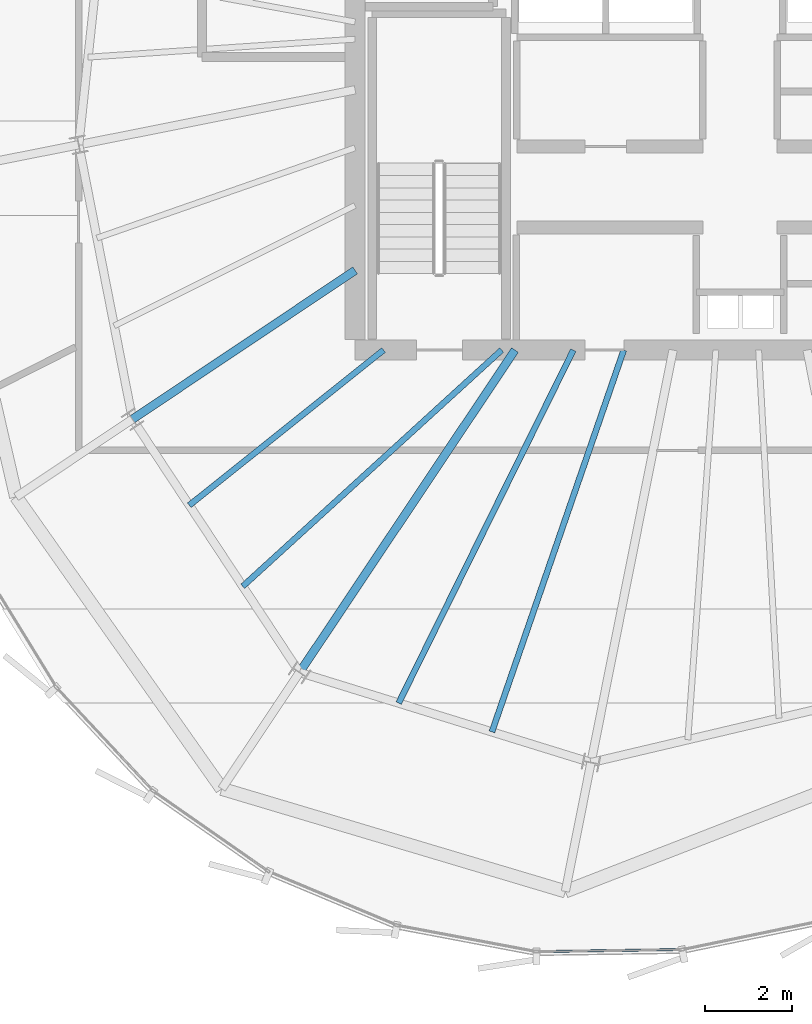
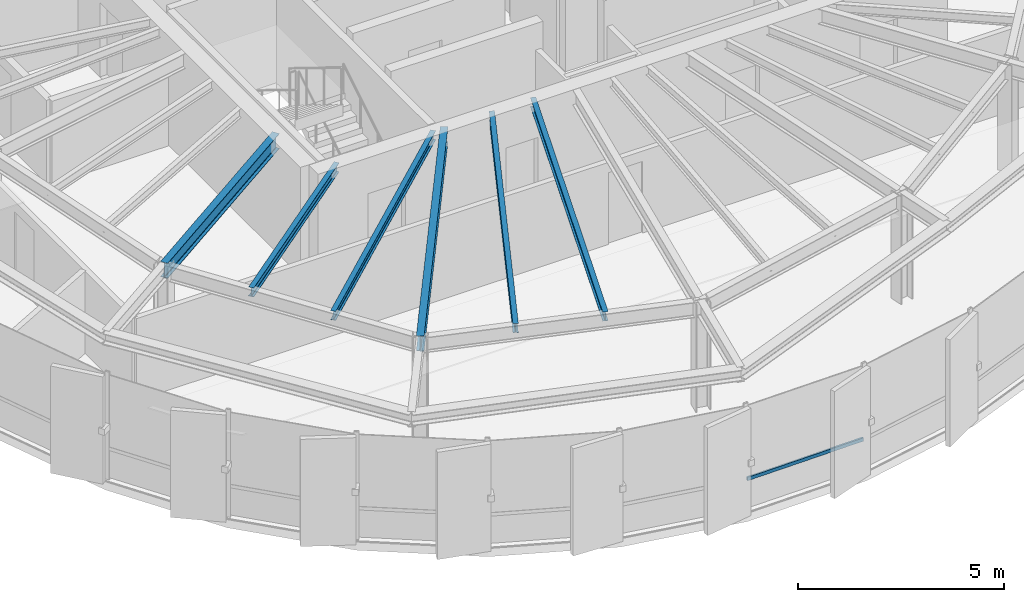
# One storey, part 6 of 32: 6 beams, 1 member, 1 element without a shape of its own.
"""IFC4 building model written with IfcOpenShell, lengths in metres."""

from ifc_helpers import new_model, si_unit, direction, frame, origin, origin_2d, place, context, subcontext, project, spatial, hollow_rectangle, i_section, extrude, source, transform, mapped, material, layer, layer_set, material_profile, profile_set, type_object, element, aggregate, save


model = new_model("IFC4")

# Units and contexts
model_context = context("Model", 3, precision=1e-05, world=origin(), true_north=direction((0.0, 1.0)))
body_context = subcontext(model_context, "Body", "Model", "MODEL_VIEW")
ifc_project = project(units=[si_unit("LENGTHUNIT", "METRE"), si_unit("AREAUNIT", "SQUARE_METRE"), si_unit("VOLUMEUNIT", "CUBIC_METRE"), si_unit("PLANEANGLEUNIT", "RADIAN"), si_unit("MASSUNIT", "GRAM", prefix="KILO"), si_unit("THERMODYNAMICTEMPERATUREUNIT", "KELVIN")], contexts=[model_context])

# Site, building, storey
site_placement = place(None, origin())
site = spatial("IfcSite", under=ifc_project, at=site_placement, CompositionType="ELEMENT")
building_placement = place(site_placement, origin())
building = spatial("IfcBuilding", under=site, at=building_placement, Name="Kethvar Cultural Tower", CompositionType="ELEMENT")
storey_placement = place(building_placement, frame((0.0, 0.0, 280.14990234375)))
storey = spatial("IfcBuildingStorey", under=building, at=storey_placement, Name="L74", CompositionType="ELEMENT", Elevation=280.14990234375)

# Beams
ifc_material_1 = material(Name="Steel S355J2", Category="steel")
ifc_material_profile_1 = material_profile(ifc_material_1, i_section(OverallWidth=0.18994140625, OverallDepth=0.449951171875, WebThickness=0.009521484375, FlangeThickness=0.0146484375, FilletRadius=0.02099609375, at=origin_2d()), Name="Steel S355J2 — IPE450")
ifc_profile_set_1 = profile_set([ifc_material_profile_1], Name="Steel S355J2 — IPE450")
beam_type_1 = type_object("IfcBeamType", Name="BM-IPE450", PredefinedType="BEAM", material=ifc_profile_set_1)
shared_shape_1 = source(origin(), body_context, "Body", "SweptSolid", [
    extrude(i_section(OverallWidth=0.18994140625, OverallDepth=0.449951171875, WebThickness=0.009521484375, FlangeThickness=0.0146484375, FilletRadius=0.02099609375, at=origin_2d()), origin(), (0.0, 0.0, 1.0), 6.118408203125),
])
beam_1_placement = place(storey_placement, frame((38.0, 21.920166015625, 2.983154296875), z_axis=(-0.831466631282, -0.555574694406, 0.0), x_axis=(0.555574694406, -0.831466631282, 0.0)))
element("IfcBeam", 1, at=beam_1_placement, inside=storey, type_object=beam_type_1, Name="L74 Primary Radial Beam RB-10", PredefinedType="BEAM", context=body_context, shape_type="MappedRepresentation", body=[
    mapped(shared_shape_1, transform((0.0, 0.0, 0.0), scale=1.0)),
])
shared_shape_2 = source(origin(), body_context, "Body", "SweptSolid", [
    extrude(i_section(OverallWidth=0.18994140625, OverallDepth=0.449951171875, WebThickness=0.009521484375, FlangeThickness=0.0146484375, FilletRadius=0.02099609375, at=origin_2d()), origin(), (0.0, 0.0, 1.0), 8.86279296875),
])
beam_2_placement = place(storey_placement, frame((41.655029296875, 20.10009765625, 2.983154296875), z_axis=(-0.555564443415, -0.831473480764, 0.0), x_axis=(0.831473480764, -0.555564443415, 0.0)))
element("IfcBeam", 2, at=beam_2_placement, inside=storey, type_object=beam_type_1, Name="L74 Primary Radial Beam RB-11", PredefinedType="BEAM", context=body_context, shape_type="MappedRepresentation", body=[
    mapped(shared_shape_2, transform((0.0, 0.0, 0.0), scale=1.0)),
])
ifc_material_profile_2 = material_profile(ifc_material_1, i_section(OverallWidth=0.135009765625, OverallDepth=0.27001953125, WebThickness=0.006591796875, FlangeThickness=0.01025390625, FilletRadius=0.014892578125, at=origin_2d()), Name="Steel S355J2 — IPE270")
ifc_profile_set_2 = profile_set([ifc_material_profile_2], Name="Steel S355J2 — IPE270")
beam_type_2 = type_object("IfcBeamType", Name="BM-J270", PredefinedType="JOIST", material=ifc_profile_set_2)
shared_shape_3 = source(origin(), body_context, "Body", "SweptSolid", [
    extrude(i_section(OverallWidth=0.135009765625, OverallDepth=0.27001953125, WebThickness=0.006591796875, FlangeThickness=0.01025390625, FilletRadius=0.014892578125, at=origin_2d()), origin(), (0.0, 0.0, 1.0), 5.68212890625),
])
beam_3_placement = place(storey_placement, frame((38.64990234375, 20.10009765625, 3.072998046875), z_axis=(-0.781157957733, -0.624333440615, 0.0), x_axis=(0.624333440615, -0.781157957733, 0.0)))
element("IfcBeam", 3, at=beam_3_placement, inside=storey, type_object=beam_type_2, Name="L74 Composite Floor Joist J-10A", PredefinedType="JOIST", context=body_context, shape_type="MappedRepresentation", body=[
    mapped(shared_shape_3, transform((0.0, 0.0, 0.0), scale=1.0)),
])
shared_shape_4 = source(origin(), body_context, "Body", "SweptSolid", [
    extrude(i_section(OverallWidth=0.135009765625, OverallDepth=0.27001953125, WebThickness=0.006591796875, FlangeThickness=0.01025390625, FilletRadius=0.014892578125, at=origin_2d()), origin(), (0.0, 0.0, 1.0), 8.010986328125),
])
beam_4_placement = place(storey_placement, frame((41.35009765625, 20.10009765625, 3.072998046875), z_axis=(-0.738614798856, -0.674127717061, 0.0), x_axis=(0.674127717061, -0.738614798856, 0.0)))
element("IfcBeam", 4, at=beam_4_placement, inside=storey, type_object=beam_type_2, Name="L74 Composite Floor Joist J-10B", PredefinedType="JOIST", context=body_context, shape_type="MappedRepresentation", body=[
    mapped(shared_shape_4, transform((0.0, 0.0, 0.0), scale=1.0)),
])
shared_shape_5 = source(origin(), body_context, "Body", "SweptSolid", [
    extrude(i_section(OverallWidth=0.135009765625, OverallDepth=0.27001953125, WebThickness=0.006591796875, FlangeThickness=0.01025390625, FilletRadius=0.014892578125, at=origin_2d()), origin(), (0.0, 0.0, 1.0), 9.00341796875),
])
beam_5_placement = place(storey_placement, frame((42.989501953125, 20.10009765625, 3.072998046875), z_axis=(-0.443543695319, -0.896252749141, 0.0), x_axis=(0.896252749141, -0.443543695319, 0.0)))
element("IfcBeam", 5, at=beam_5_placement, inside=storey, type_object=beam_type_2, Name="L74 Composite Floor Joist J-11A", PredefinedType="JOIST", context=body_context, shape_type="MappedRepresentation", body=[
    mapped(shared_shape_5, transform((0.0, 0.0, 0.0), scale=1.0)),
])
shared_shape_6 = source(origin(), body_context, "Body", "SweptSolid", [
    extrude(i_section(OverallWidth=0.135009765625, OverallDepth=0.27001953125, WebThickness=0.006591796875, FlangeThickness=0.01025390625, FilletRadius=0.014892578125, at=origin_2d()), origin(), (0.0, 0.0, 1.0), 9.234130859375),
])
beam_6_placement = place(storey_placement, frame((44.1416015625, 20.10009765625, 3.072998046875), z_axis=(-0.326362208058, -0.945244787953, 0.0), x_axis=(0.945244787953, -0.326362208058, 0.0)))
element("IfcBeam", 6, at=beam_6_placement, inside=storey, type_object=beam_type_2, Name="L74 Composite Floor Joist J-11B", PredefinedType="JOIST", context=body_context, shape_type="MappedRepresentation", body=[
    mapped(shared_shape_6, transform((0.0, 0.0, 0.0), scale=1.0)),
])

# Curtain wall, member
ifc_material_2 = material(Name="Aluminium 6063-T6", Category="aluminium")
ifc_layer = layer(ifc_material_2, 0.179931640625, Name="Aluminium 6063-T6", Category="aluminium")
ifc_layer_set = layer_set([ifc_layer], Name="Aluminium 6063-T6 (180 mm)")
curtain_wall_type = type_object("IfcCurtainWallType", Name="CW-SYS-05-Z56", PredefinedType="NOTDEFINED", material=ifc_layer_set)
curtain_wall_placement = place(storey_placement, origin())
curtain_wall = element("IfcCurtainWall", 7, at=curtain_wall_placement, inside=storey, type_object=curtain_wall_type, Name="L74 Curtain Wall Run 04", PredefinedType="NOTDEFINED")
ifc_material_profile_3 = material_profile(ifc_material_2, hollow_rectangle(XDim=0.050048828125, YDim=0.10009765625, WallThickness=0.00390625, at=origin_2d()), Name="Aluminium 6063-T6 — RHS100x50x4")
ifc_profile_set_3 = profile_set([ifc_material_profile_3], Name="Aluminium 6063-T6 — RHS100x50x4")
member_type = type_object("IfcMemberType", Name="CW-SYS-05-Z56-TRN", PredefinedType="USERDEFINED", material=ifc_profile_set_3)
shared_shape_7 = source(origin(), body_context, "Body", "SweptSolid", [
    extrude(hollow_rectangle(XDim=0.050048828125, YDim=0.10009765625, WallThickness=0.00390625, at=origin_2d()), origin(), (0.0, 0.0, 1.0), 3.270751953125),
])
member_placement = place(storey_placement, frame((42.18408203125, 6.350341796875, 0.9501953125), z_axis=(0.999895153272, 0.014480416522, 0.0), x_axis=(-0.014480416522, 0.999895153272, 0.0)))
member = element("IfcMember", 8, at=member_placement, type_object=member_type, Name="CW-L74-R04 Transom 3", ObjectType="TRANSOM", PredefinedType="USERDEFINED", context=body_context, shape_type="MappedRepresentation", body=[
    mapped(shared_shape_7, transform((0.0, 0.0, 0.0), scale=1.0)),
])
aggregate(curtain_wall, [member])

save(model, "model.ifc")
